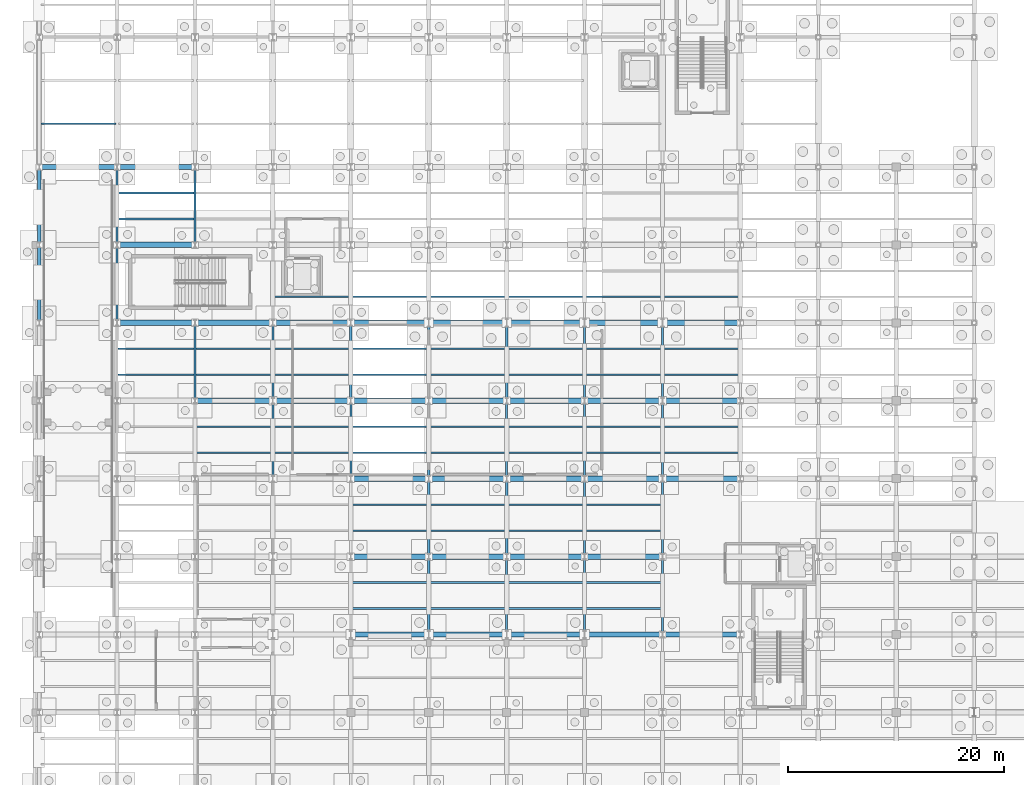
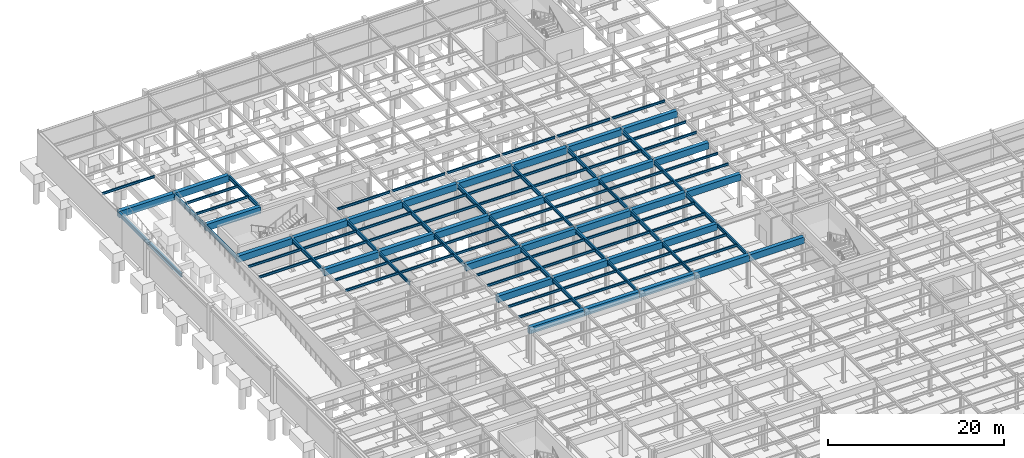
# One storey, part 37 of 64: 113 beams.
"""IFC4 building model written with IfcOpenShell, lengths in metres."""

from ifc_helpers import new_model, si_unit, direction, frame, origin, origin_2d, place, context, subcontext, project, spatial, rectangle, i_section, extrude, material, material_profile, profile_set, type_object, element, save


model = new_model("IFC4")

# Units and contexts
model_context = context("Model", 3, precision=1e-05, world=origin(), true_north=direction((0.0, 1.0)))
body_context = subcontext(model_context, "Body", "Model", "MODEL_VIEW")
ifc_project = project(units=[si_unit("LENGTHUNIT", "METRE"), si_unit("AREAUNIT", "SQUARE_METRE"), si_unit("VOLUMEUNIT", "CUBIC_METRE"), si_unit("PLANEANGLEUNIT", "RADIAN"), si_unit("MASSUNIT", "GRAM", prefix="KILO")], contexts=[model_context])

# Site, building, storey
site_placement = place(None, origin())
site = spatial("IfcSite", under=ifc_project, at=site_placement, CompositionType="ELEMENT")
building_placement = place(site_placement, origin())
building = spatial("IfcBuilding", under=site, at=building_placement, Name="Solvadek Multi-Sports Hall", CompositionType="ELEMENT")
storey_placement = place(building_placement, frame((0.0, 0.0, -4.800048828125)))
storey = spatial("IfcBuildingStorey", under=building, at=storey_placement, Name="B1", CompositionType="ELEMENT", Elevation=-4.800048828125)

# Beams
ifc_material_1 = material(Name="Steel E350 (350 MPa)", Category="steel")
ifc_material_profile_1 = material_profile(ifc_material_1, i_section(OverallWidth=0.18994140625, OverallDepth=0.449951171875, WebThickness=0.009521484375, FlangeThickness=0.0146484375, at=origin_2d()), Name="NPB 450")
ifc_profile_set_1 = profile_set([ifc_material_profile_1], Name="Steel E350 (350 MPa)")
beam_type_1 = type_object("IfcBeamType", Name="STR-BM-NPB450", PredefinedType="BEAM", material=ifc_profile_set_1)
for number, where, z_axis, x_axis, name in (
    (1, (21.60009765625, 63.60009765625, 4.324951171875), (0.0, 1.0, 0.0), (-1.0, 0.0, 0.0), "B1 Girder B-08 #298"),
    (2, (28.800048828125, 63.60009765625, 4.324951171875), (0.0, 1.0, 0.0), (-1.0, 0.0, 0.0), "B1 Girder B-08 #310"),
    (3, (36.0, 49.199951171875, 4.324951171875), (0.0, 1.0, 0.0), (-1.0, 0.0, 0.0), "B1 Girder B-08 #322"),
    (4, (36.0, 63.60009765625, 4.324951171875), (0.0, 1.0, 0.0), (-1.0, 0.0, 0.0), "B1 Girder B-08 #324"),
    (5, (43.199951171875, 49.199951171875, 4.324951171875), (0.0, 1.0, 0.0), (-1.0, 0.0, 0.0), "B1 Girder B-08 #338"),
    (6, (43.199951171875, 63.60009765625, 4.324951171875), (0.0, 1.0, 0.0), (-1.0, 0.0, 0.0), "B1 Girder B-08 #340"),
    (7, (50.39990234375, 49.199951171875, 4.324951171875), (0.0, 1.0, 0.0), (-1.0, 0.0, 0.0), "B1 Girder B-08 #354"),
    (8, (50.39990234375, 63.60009765625, 4.324951171875), (0.0, 1.0, 0.0), (-1.0, 0.0, 0.0), "B1 Girder B-08 #356"),
    (9, (57.60009765625, 49.199951171875, 4.324951171875), (0.0, 1.0, 0.0), (-1.0, 0.0, 0.0), "B1 Girder B-08 #373"),
    (10, (57.60009765625, 63.60009765625, 4.324951171875), (0.0, 1.0, 0.0), (-1.0, 0.0, 0.0), "B1 Girder B-08 #375"),
):
    element("IfcBeam", number, at=place(storey_placement, frame(where, z_axis=z_axis, x_axis=x_axis)), inside=storey, type_object=beam_type_1, Name=name, PredefinedType="BEAM", context=body_context, shape_type="SweptSolid", body=[
        extrude(i_section(OverallWidth=0.18994140625, OverallDepth=0.449951171875, WebThickness=0.009521484375, FlangeThickness=0.0146484375, at=origin_2d()), origin(), (0.0, 0.0, 1.0), 7.199951171875),
    ])
ifc_material_profile_2 = material_profile(ifc_material_1, i_section(OverallWidth=0.2099609375, OverallDepth=0.550048828125, WebThickness=0.010986328125, FlangeThickness=0.01708984375, at=origin_2d()), Name="NPB 550")
ifc_profile_set_2 = profile_set([ifc_material_profile_2], Name="Steel E350 (350 MPa)")
beam_type_2 = type_object("IfcBeamType", Name="STR-BM-NPB550", PredefinedType="BEAM", material=ifc_profile_set_2)
for number, where, z_axis, x_axis, name in (
    (11, (7.199951171875, 78.0, 4.275146484375), (0.0, 1.0, 0.0), (-1.0, 0.0, 0.0), "B1 Girder B-05 #277"),
    (12, (7.199951171875, 85.199951171875, 4.275146484375), (0.0, 1.0, 0.0), (-1.0, 0.0, 0.0), "B1 Girder B-05 #278"),
    (13, (14.39990234375, 70.800048828125, 4.275146484375), (0.0, 1.0, 0.0), (-1.0, 0.0, 0.0), "B1 Girder B-05 #288"),
    (14, (14.39990234375, 85.199951171875, 4.275146484375), (0.0, 1.0, 0.0), (-1.0, 0.0, 0.0), "B1 Girder B-05 #289"),
    (15, (21.60009765625, 70.800048828125, 4.275146484375), (0.0, 1.0, 0.0), (-1.0, 0.0, 0.0), "B1 Girder B-05 #299"),
    (16, (28.800048828125, 70.800048828125, 4.275146484375), (0.0, 1.0, 0.0), (-1.0, 0.0, 0.0), "B1 Girder B-05 #311"),
):
    element("IfcBeam", number, at=place(storey_placement, frame(where, z_axis=z_axis, x_axis=x_axis)), inside=storey, type_object=beam_type_2, Name=name, PredefinedType="BEAM", context=body_context, shape_type="SweptSolid", body=[
        extrude(i_section(OverallWidth=0.2099609375, OverallDepth=0.550048828125, WebThickness=0.010986328125, FlangeThickness=0.01708984375, at=origin_2d()), origin(), (0.0, 0.0, 1.0), 7.199951171875),
    ])
beam_1_placement = place(storey_placement, frame((36.0, 56.39990234375, 4.275146484375), z_axis=(0.0, 1.0, 0.0), x_axis=(-1.0, 0.0, 0.0)))
element("IfcBeam", 17, at=beam_1_placement, inside=storey, type_object=beam_type_2, Name="B1 Girder B-05 #323", PredefinedType="BEAM", context=body_context, shape_type="SweptSolid", body=[
    extrude(i_section(OverallWidth=0.2099609375, OverallDepth=0.550048828125, WebThickness=0.010986328125, FlangeThickness=0.01708984375, at=origin_2d()), origin(), (0.0, 0.0, 1.0), 7.2001953125),
])
beam_2_placement = place(storey_placement, frame((36.0, 70.800048828125, 4.275146484375), z_axis=(0.0, 1.0, 0.0), x_axis=(-1.0, 0.0, 0.0)))
element("IfcBeam", 18, at=beam_2_placement, inside=storey, type_object=beam_type_2, Name="B1 Girder B-05 #325", PredefinedType="BEAM", context=body_context, shape_type="SweptSolid", body=[
    extrude(i_section(OverallWidth=0.2099609375, OverallDepth=0.550048828125, WebThickness=0.010986328125, FlangeThickness=0.01708984375, at=origin_2d()), origin(), (0.0, 0.0, 1.0), 7.199951171875),
])
beam_3_placement = place(storey_placement, frame((43.199951171875, 56.39990234375, 4.275146484375), z_axis=(0.0, 1.0, 0.0), x_axis=(-1.0, 0.0, 0.0)))
element("IfcBeam", 19, at=beam_3_placement, inside=storey, type_object=beam_type_2, Name="B1 Girder B-05 #339", PredefinedType="BEAM", context=body_context, shape_type="SweptSolid", body=[
    extrude(i_section(OverallWidth=0.2099609375, OverallDepth=0.550048828125, WebThickness=0.010986328125, FlangeThickness=0.01708984375, at=origin_2d()), origin(), (0.0, 0.0, 1.0), 7.2001953125),
])
beam_4_placement = place(storey_placement, frame((43.199951171875, 70.800048828125, 4.275146484375), z_axis=(0.0, 1.0, 0.0), x_axis=(-1.0, 0.0, 0.0)))
element("IfcBeam", 20, at=beam_4_placement, inside=storey, type_object=beam_type_2, Name="B1 Girder B-05 #341", PredefinedType="BEAM", context=body_context, shape_type="SweptSolid", body=[
    extrude(i_section(OverallWidth=0.2099609375, OverallDepth=0.550048828125, WebThickness=0.010986328125, FlangeThickness=0.01708984375, at=origin_2d()), origin(), (0.0, 0.0, 1.0), 7.199951171875),
])
beam_5_placement = place(storey_placement, frame((50.39990234375, 56.39990234375, 4.275146484375), z_axis=(0.0, 1.0, 0.0), x_axis=(-1.0, 0.0, 0.0)))
element("IfcBeam", 21, at=beam_5_placement, inside=storey, type_object=beam_type_2, Name="B1 Girder B-05 #355", PredefinedType="BEAM", context=body_context, shape_type="SweptSolid", body=[
    extrude(i_section(OverallWidth=0.2099609375, OverallDepth=0.550048828125, WebThickness=0.010986328125, FlangeThickness=0.01708984375, at=origin_2d()), origin(), (0.0, 0.0, 1.0), 7.2001953125),
])
beam_6_placement = place(storey_placement, frame((50.39990234375, 70.800048828125, 4.275146484375), z_axis=(0.0, 1.0, 0.0), x_axis=(-1.0, 0.0, 0.0)))
element("IfcBeam", 22, at=beam_6_placement, inside=storey, type_object=beam_type_2, Name="B1 Girder B-05 #357", PredefinedType="BEAM", context=body_context, shape_type="SweptSolid", body=[
    extrude(i_section(OverallWidth=0.2099609375, OverallDepth=0.550048828125, WebThickness=0.010986328125, FlangeThickness=0.01708984375, at=origin_2d()), origin(), (0.0, 0.0, 1.0), 7.199951171875),
])
beam_7_placement = place(storey_placement, frame((57.60009765625, 56.39990234375, 4.275146484375), z_axis=(0.0, 1.0, 0.0), x_axis=(-1.0, 0.0, 0.0)))
element("IfcBeam", 23, at=beam_7_placement, inside=storey, type_object=beam_type_2, Name="B1 Girder B-05 #374", PredefinedType="BEAM", context=body_context, shape_type="SweptSolid", body=[
    extrude(i_section(OverallWidth=0.2099609375, OverallDepth=0.550048828125, WebThickness=0.010986328125, FlangeThickness=0.01708984375, at=origin_2d()), origin(), (0.0, 0.0, 1.0), 7.2001953125),
])
beam_8_placement = place(storey_placement, frame((57.60009765625, 70.800048828125, 4.275146484375), z_axis=(0.0, 1.0, 0.0), x_axis=(-1.0, 0.0, 0.0)))
element("IfcBeam", 24, at=beam_8_placement, inside=storey, type_object=beam_type_2, Name="B1 Girder B-05 #376", PredefinedType="BEAM", context=body_context, shape_type="SweptSolid", body=[
    extrude(i_section(OverallWidth=0.2099609375, OverallDepth=0.550048828125, WebThickness=0.010986328125, FlangeThickness=0.01708984375, at=origin_2d()), origin(), (0.0, 0.0, 1.0), 7.199951171875),
])
ifc_material_profile_3 = material_profile(ifc_material_1, i_section(OverallWidth=0.159912109375, OverallDepth=0.330078125, WebThickness=0.007568359375, FlangeThickness=0.011474609375, at=origin_2d()), Name="NPB 330")
ifc_profile_set_3 = profile_set([ifc_material_profile_3], Name="Steel E350 (350 MPa)")
beam_type_3 = type_object("IfcBeamType", Name="STR-JST-NPB330", PredefinedType="JOIST", material=ifc_profile_set_3)
for number, where, z_axis, x_axis, name in (
    (25, (28.89501953125, 51.60009765625, 4.385009765625), (1.0, 0.0, 0.0), (0.0, 1.0, 0.0), "B1 Composite Joist J-02 #197"),
    (26, (28.89501953125, 54.0, 4.385009765625), (1.0, 0.0, 0.0), (0.0, 1.0, 0.0), "B1 Composite Joist J-02 #198"),
    (27, (36.094970703125, 51.60009765625, 4.385009765625), (1.0, 0.0, 0.0), (0.0, 1.0, 0.0), "B1 Composite Joist J-02 #199"),
    (28, (36.094970703125, 54.0, 4.385009765625), (1.0, 0.0, 0.0), (0.0, 1.0, 0.0), "B1 Composite Joist J-02 #200"),
    (29, (43.294921875, 51.60009765625, 4.385009765625), (1.0, 0.0, 0.0), (0.0, 1.0, 0.0), "B1 Composite Joist J-02 #201"),
    (30, (43.294921875, 54.0, 4.385009765625), (1.0, 0.0, 0.0), (0.0, 1.0, 0.0), "B1 Composite Joist J-02 #202"),
):
    element("IfcBeam", number, at=place(storey_placement, frame(where, z_axis=z_axis, x_axis=x_axis)), inside=storey, type_object=beam_type_3, Name=name, PredefinedType="JOIST", context=body_context, shape_type="SweptSolid", body=[
        extrude(i_section(OverallWidth=0.159912109375, OverallDepth=0.330078125, WebThickness=0.007568359375, FlangeThickness=0.011474609375, at=origin_2d()), origin(), (0.0, 0.0, 1.0), 7.010009765625),
    ])
for number, where, z_axis, x_axis, name in (
    (31, (50.4951171875, 51.60009765625, 4.385009765625), (1.0, 0.0, 0.0), (0.0, 1.0, 0.0), "B1 Composite Joist J-02 #203"),
    (32, (50.4951171875, 54.0, 4.385009765625), (1.0, 0.0, 0.0), (0.0, 1.0, 0.0), "B1 Composite Joist J-02 #204"),
):
    element("IfcBeam", number, at=place(storey_placement, frame(where, z_axis=z_axis, x_axis=x_axis)), inside=storey, type_object=beam_type_3, Name=name, PredefinedType="JOIST", context=body_context, shape_type="SweptSolid", body=[
        extrude(i_section(OverallWidth=0.159912109375, OverallDepth=0.330078125, WebThickness=0.007568359375, FlangeThickness=0.011474609375, at=origin_2d()), origin(), (0.0, 0.0, 1.0), 7.009765625),
    ])
for number, where, z_axis, x_axis, name in (
    (33, (28.905029296875, 58.800048828125, 4.385009765625), (1.0, 0.0, 0.0), (0.0, 1.0, 0.0), "B1 Composite Joist J-02 #233"),
    (34, (28.905029296875, 61.199951171875, 4.385009765625), (1.0, 0.0, 0.0), (0.0, 1.0, 0.0), "B1 Composite Joist J-02 #234"),
    (35, (36.10498046875, 58.800048828125, 4.385009765625), (1.0, 0.0, 0.0), (0.0, 1.0, 0.0), "B1 Composite Joist J-02 #235"),
    (36, (36.10498046875, 61.199951171875, 4.385009765625), (1.0, 0.0, 0.0), (0.0, 1.0, 0.0), "B1 Composite Joist J-02 #236"),
    (37, (43.304931640625, 58.800048828125, 4.385009765625), (1.0, 0.0, 0.0), (0.0, 1.0, 0.0), "B1 Composite Joist J-02 #237"),
    (38, (43.304931640625, 61.199951171875, 4.385009765625), (1.0, 0.0, 0.0), (0.0, 1.0, 0.0), "B1 Composite Joist J-02 #238"),
):
    element("IfcBeam", number, at=place(storey_placement, frame(where, z_axis=z_axis, x_axis=x_axis)), inside=storey, type_object=beam_type_3, Name=name, PredefinedType="JOIST", context=body_context, shape_type="SweptSolid", body=[
        extrude(i_section(OverallWidth=0.159912109375, OverallDepth=0.330078125, WebThickness=0.007568359375, FlangeThickness=0.011474609375, at=origin_2d()), origin(), (0.0, 0.0, 1.0), 6.989990234375),
    ])
for number, where, z_axis, x_axis, name in (
    (39, (50.5048828125, 58.800048828125, 4.385009765625), (1.0, 0.0, 0.0), (0.0, 1.0, 0.0), "B1 Composite Joist J-02 #239"),
    (40, (50.5048828125, 61.199951171875, 4.385009765625), (1.0, 0.0, 0.0), (0.0, 1.0, 0.0), "B1 Composite Joist J-02 #240"),
):
    element("IfcBeam", number, at=place(storey_placement, frame(where, z_axis=z_axis, x_axis=x_axis)), inside=storey, type_object=beam_type_3, Name=name, PredefinedType="JOIST", context=body_context, shape_type="SweptSolid", body=[
        extrude(i_section(OverallWidth=0.159912109375, OverallDepth=0.330078125, WebThickness=0.007568359375, FlangeThickness=0.011474609375, at=origin_2d()), origin(), (0.0, 0.0, 1.0), 6.990234375),
    ])
for number, where, z_axis, x_axis, name in (
    (41, (14.4951171875, 66.0, 4.385009765625), (1.0, 0.0, 0.0), (0.0, 1.0, 0.0), "B1 Composite Joist J-02 #255"),
    (42, (14.4951171875, 68.39990234375, 4.385009765625), (1.0, 0.0, 0.0), (0.0, 1.0, 0.0), "B1 Composite Joist J-02 #256"),
):
    element("IfcBeam", number, at=place(storey_placement, frame(where, z_axis=z_axis, x_axis=x_axis)), inside=storey, type_object=beam_type_3, Name=name, PredefinedType="JOIST", context=body_context, shape_type="SweptSolid", body=[
        extrude(i_section(OverallWidth=0.159912109375, OverallDepth=0.330078125, WebThickness=0.007568359375, FlangeThickness=0.011474609375, at=origin_2d()), origin(), (0.0, 0.0, 1.0), 7.009765625),
    ])
for number, where, z_axis, x_axis, name in (
    (43, (21.695068359375, 66.0, 4.385009765625), (1.0, 0.0, 0.0), (0.0, 1.0, 0.0), "B1 Composite Joist J-02 #257"),
    (44, (21.695068359375, 68.39990234375, 4.385009765625), (1.0, 0.0, 0.0), (0.0, 1.0, 0.0), "B1 Composite Joist J-02 #258"),
    (45, (28.89501953125, 66.0, 4.385009765625), (1.0, 0.0, 0.0), (0.0, 1.0, 0.0), "B1 Composite Joist J-02 #259"),
    (46, (28.89501953125, 68.39990234375, 4.385009765625), (1.0, 0.0, 0.0), (0.0, 1.0, 0.0), "B1 Composite Joist J-02 #260"),
    (47, (36.094970703125, 66.0, 4.385009765625), (1.0, 0.0, 0.0), (0.0, 1.0, 0.0), "B1 Composite Joist J-02 #261"),
    (48, (36.094970703125, 68.39990234375, 4.385009765625), (1.0, 0.0, 0.0), (0.0, 1.0, 0.0), "B1 Composite Joist J-02 #262"),
    (49, (43.294921875, 66.0, 4.385009765625), (1.0, 0.0, 0.0), (0.0, 1.0, 0.0), "B1 Composite Joist J-02 #263"),
    (50, (43.294921875, 68.39990234375, 4.385009765625), (1.0, 0.0, 0.0), (0.0, 1.0, 0.0), "B1 Composite Joist J-02 #264"),
):
    element("IfcBeam", number, at=place(storey_placement, frame(where, z_axis=z_axis, x_axis=x_axis)), inside=storey, type_object=beam_type_3, Name=name, PredefinedType="JOIST", context=body_context, shape_type="SweptSolid", body=[
        extrude(i_section(OverallWidth=0.159912109375, OverallDepth=0.330078125, WebThickness=0.007568359375, FlangeThickness=0.011474609375, at=origin_2d()), origin(), (0.0, 0.0, 1.0), 7.010009765625),
    ])
for number, where, z_axis, x_axis, name in (
    (51, (50.4951171875, 66.0, 4.385009765625), (1.0, 0.0, 0.0), (0.0, 1.0, 0.0), "B1 Composite Joist J-02 #265"),
    (52, (50.4951171875, 68.39990234375, 4.385009765625), (1.0, 0.0, 0.0), (0.0, 1.0, 0.0), "B1 Composite Joist J-02 #266"),
):
    element("IfcBeam", number, at=place(storey_placement, frame(where, z_axis=z_axis, x_axis=x_axis)), inside=storey, type_object=beam_type_3, Name=name, PredefinedType="JOIST", context=body_context, shape_type="SweptSolid", body=[
        extrude(i_section(OverallWidth=0.159912109375, OverallDepth=0.330078125, WebThickness=0.007568359375, FlangeThickness=0.011474609375, at=origin_2d()), origin(), (0.0, 0.0, 1.0), 7.009765625),
    ])
for number, where, z_axis, x_axis, name in (
    (53, (57.695068359375, 66.0, 4.385009765625), (1.0, 0.0, 0.0), (0.0, 1.0, 0.0), "B1 Composite Joist J-02 #267"),
    (54, (57.695068359375, 68.39990234375, 4.385009765625), (1.0, 0.0, 0.0), (0.0, 1.0, 0.0), "B1 Composite Joist J-02 #268"),
):
    element("IfcBeam", number, at=place(storey_placement, frame(where, z_axis=z_axis, x_axis=x_axis)), inside=storey, type_object=beam_type_3, Name=name, PredefinedType="JOIST", context=body_context, shape_type="SweptSolid", body=[
        extrude(i_section(OverallWidth=0.159912109375, OverallDepth=0.330078125, WebThickness=0.007568359375, FlangeThickness=0.011474609375, at=origin_2d()), origin(), (0.0, 0.0, 1.0), 7.010009765625),
    ])
for number, where, z_axis, x_axis, name in (
    (55, (7.304931640625, 73.199951171875, 4.385009765625), (1.0, 0.0, 0.0), (0.0, 1.0, 0.0), "B1 Composite Joist J-02 #279"),
    (56, (7.304931640625, 75.60009765625, 4.385009765625), (1.0, 0.0, 0.0), (0.0, 1.0, 0.0), "B1 Composite Joist J-02 #280"),
):
    element("IfcBeam", number, at=place(storey_placement, frame(where, z_axis=z_axis, x_axis=x_axis)), inside=storey, type_object=beam_type_3, Name=name, PredefinedType="JOIST", context=body_context, shape_type="SweptSolid", body=[
        extrude(i_section(OverallWidth=0.159912109375, OverallDepth=0.330078125, WebThickness=0.007568359375, FlangeThickness=0.011474609375, at=origin_2d()), origin(), (0.0, 0.0, 1.0), 6.989990234375),
    ])
for number, where, z_axis, x_axis, name in (
    (57, (14.5048828125, 73.199951171875, 4.385009765625), (1.0, 0.0, 0.0), (0.0, 1.0, 0.0), "B1 Composite Joist J-02 #281"),
    (58, (14.5048828125, 75.60009765625, 4.385009765625), (1.0, 0.0, 0.0), (0.0, 1.0, 0.0), "B1 Composite Joist J-02 #282"),
):
    element("IfcBeam", number, at=place(storey_placement, frame(where, z_axis=z_axis, x_axis=x_axis)), inside=storey, type_object=beam_type_3, Name=name, PredefinedType="JOIST", context=body_context, shape_type="SweptSolid", body=[
        extrude(i_section(OverallWidth=0.159912109375, OverallDepth=0.330078125, WebThickness=0.007568359375, FlangeThickness=0.011474609375, at=origin_2d()), origin(), (0.0, 0.0, 1.0), 6.990234375),
    ])
for number, where, z_axis, x_axis, name in (
    (59, (21.705078125, 73.199951171875, 4.385009765625), (1.0, 0.0, 0.0), (0.0, 1.0, 0.0), "B1 Composite Joist J-02 #283"),
    (60, (21.705078125, 75.60009765625, 4.385009765625), (1.0, 0.0, 0.0), (0.0, 1.0, 0.0), "B1 Composite Joist J-02 #284"),
    (61, (28.905029296875, 73.199951171875, 4.385009765625), (1.0, 0.0, 0.0), (0.0, 1.0, 0.0), "B1 Composite Joist J-02 #285"),
    (62, (28.905029296875, 75.60009765625, 4.385009765625), (1.0, 0.0, 0.0), (0.0, 1.0, 0.0), "B1 Composite Joist J-02 #286"),
    (63, (36.10498046875, 73.199951171875, 4.385009765625), (1.0, 0.0, 0.0), (0.0, 1.0, 0.0), "B1 Composite Joist J-02 #287"),
    (64, (36.10498046875, 75.60009765625, 4.385009765625), (1.0, 0.0, 0.0), (0.0, 1.0, 0.0), "B1 Composite Joist J-02 #288"),
    (65, (43.304931640625, 73.199951171875, 4.385009765625), (1.0, 0.0, 0.0), (0.0, 1.0, 0.0), "B1 Composite Joist J-02 #289"),
    (66, (43.304931640625, 75.60009765625, 4.385009765625), (1.0, 0.0, 0.0), (0.0, 1.0, 0.0), "B1 Composite Joist J-02 #290"),
):
    element("IfcBeam", number, at=place(storey_placement, frame(where, z_axis=z_axis, x_axis=x_axis)), inside=storey, type_object=beam_type_3, Name=name, PredefinedType="JOIST", context=body_context, shape_type="SweptSolid", body=[
        extrude(i_section(OverallWidth=0.159912109375, OverallDepth=0.330078125, WebThickness=0.007568359375, FlangeThickness=0.011474609375, at=origin_2d()), origin(), (0.0, 0.0, 1.0), 6.989990234375),
    ])
for number, where, z_axis, x_axis, name in (
    (67, (50.5048828125, 73.199951171875, 4.385009765625), (1.0, 0.0, 0.0), (0.0, 1.0, 0.0), "B1 Composite Joist J-02 #291"),
    (68, (50.5048828125, 75.60009765625, 4.385009765625), (1.0, 0.0, 0.0), (0.0, 1.0, 0.0), "B1 Composite Joist J-02 #292"),
):
    element("IfcBeam", number, at=place(storey_placement, frame(where, z_axis=z_axis, x_axis=x_axis)), inside=storey, type_object=beam_type_3, Name=name, PredefinedType="JOIST", context=body_context, shape_type="SweptSolid", body=[
        extrude(i_section(OverallWidth=0.159912109375, OverallDepth=0.330078125, WebThickness=0.007568359375, FlangeThickness=0.011474609375, at=origin_2d()), origin(), (0.0, 0.0, 1.0), 6.990234375),
    ])
for number, where, z_axis, x_axis, name in (
    (69, (57.705078125, 73.199951171875, 4.385009765625), (1.0, 0.0, 0.0), (0.0, 1.0, 0.0), "B1 Composite Joist J-02 #293"),
    (70, (57.705078125, 75.60009765625, 4.385009765625), (1.0, 0.0, 0.0), (0.0, 1.0, 0.0), "B1 Composite Joist J-02 #294"),
    (71, (21.705078125, 80.39990234375, 4.385009765625), (1.0, 0.0, 0.0), (0.0, 1.0, 0.0), "B1 Composite Joist J-02 #301"),
    (72, (28.905029296875, 80.39990234375, 4.385009765625), (1.0, 0.0, 0.0), (0.0, 1.0, 0.0), "B1 Composite Joist J-02 #302"),
    (73, (36.10498046875, 80.39990234375, 4.385009765625), (1.0, 0.0, 0.0), (0.0, 1.0, 0.0), "B1 Composite Joist J-02 #304"),
    (74, (43.304931640625, 80.39990234375, 4.385009765625), (1.0, 0.0, 0.0), (0.0, 1.0, 0.0), "B1 Composite Joist J-02 #306"),
):
    element("IfcBeam", number, at=place(storey_placement, frame(where, z_axis=z_axis, x_axis=x_axis)), inside=storey, type_object=beam_type_3, Name=name, PredefinedType="JOIST", context=body_context, shape_type="SweptSolid", body=[
        extrude(i_section(OverallWidth=0.159912109375, OverallDepth=0.330078125, WebThickness=0.007568359375, FlangeThickness=0.011474609375, at=origin_2d()), origin(), (0.0, 0.0, 1.0), 6.989990234375),
    ])
beam_9_placement = place(storey_placement, frame((50.5048828125, 80.39990234375, 4.385009765625), z_axis=(1.0, 0.0, 0.0), x_axis=(0.0, 1.0, 0.0)))
element("IfcBeam", 75, at=beam_9_placement, inside=storey, type_object=beam_type_3, Name="B1 Composite Joist J-02 #308", PredefinedType="JOIST", context=body_context, shape_type="SweptSolid", body=[
    extrude(i_section(OverallWidth=0.159912109375, OverallDepth=0.330078125, WebThickness=0.007568359375, FlangeThickness=0.011474609375, at=origin_2d()), origin(), (0.0, 0.0, 1.0), 6.990234375),
])
for number, where, z_axis, x_axis, name in (
    (76, (57.705078125, 80.39990234375, 4.385009765625), (1.0, 0.0, 0.0), (0.0, 1.0, 0.0), "B1 Composite Joist J-02 #310"),
    (77, (7.304931640625, 87.60009765625, 4.385009765625), (1.0, 0.0, 0.0), (0.0, 1.0, 0.0), "B1 Composite Joist J-02 #318"),
    (78, (7.304931640625, 90.0, 4.385009765625), (1.0, 0.0, 0.0), (0.0, 1.0, 0.0), "B1 Composite Joist J-02 #319"),
):
    element("IfcBeam", number, at=place(storey_placement, frame(where, z_axis=z_axis, x_axis=x_axis)), inside=storey, type_object=beam_type_3, Name=name, PredefinedType="JOIST", context=body_context, shape_type="SweptSolid", body=[
        extrude(i_section(OverallWidth=0.159912109375, OverallDepth=0.330078125, WebThickness=0.007568359375, FlangeThickness=0.011474609375, at=origin_2d()), origin(), (0.0, 0.0, 1.0), 6.989990234375),
    ])
beam_10_placement = place(storey_placement, frame((0.14990234375, 96.39990234375, 4.385009765625), z_axis=(1.0, 0.0, 0.0), x_axis=(0.0, 1.0, 0.0)))
element("IfcBeam", 79, at=beam_10_placement, inside=storey, type_object=beam_type_3, Name="B1 Composite Joist J-02 #340", PredefinedType="JOIST", context=body_context, shape_type="SweptSolid", body=[
    extrude(i_section(OverallWidth=0.159912109375, OverallDepth=0.330078125, WebThickness=0.007568359375, FlangeThickness=0.011474609375, at=origin_2d()), origin(), (0.0, 0.0, 1.0), 6.93017578125),
])
ifc_material_profile_4 = material_profile(ifc_material_1, i_section(OverallWidth=0.300048828125, OverallDepth=0.5, WebThickness=0.014404296875, FlangeThickness=0.028076171875, at=origin_2d()), Name="WPB 500")
ifc_profile_set_4 = profile_set([ifc_material_profile_4], Name="Steel E350 (350 MPa)")
beam_type_4 = type_object("IfcBeamType", Name="STR-SPN-WPB500", PredefinedType="SPANDREL", material=ifc_profile_set_4)
for number, where, z_axis, x_axis, name in (
    (80, (0.0, 78.0, 4.300048828125), (0.0, 1.0, 0.0), (-1.0, 0.0, 0.0), "B1 Girder SP-01 #265"),
    (81, (0.0, 85.199951171875, 4.300048828125), (0.0, 1.0, 0.0), (-1.0, 0.0, 0.0), "B1 Girder SP-01 #266"),
):
    element("IfcBeam", number, at=place(storey_placement, frame(where, z_axis=z_axis, x_axis=x_axis)), inside=storey, type_object=beam_type_4, Name=name, PredefinedType="SPANDREL", context=body_context, shape_type="SweptSolid", body=[
        extrude(i_section(OverallWidth=0.300048828125, OverallDepth=0.5, WebThickness=0.014404296875, FlangeThickness=0.028076171875, at=origin_2d()), origin(), (0.0, 0.0, 1.0), 7.199951171875),
    ])
ifc_material_2 = material(Name="Concrete M35", Category="concrete")
ifc_material_profile_5 = material_profile(ifc_material_2, rectangle(XDim=0.5, YDim=0.89990234375, at=origin_2d()), Name="RC T-BEAM 500x900")
ifc_profile_set_5 = profile_set([ifc_material_profile_5], Name="Concrete M35")
beam_type_5 = type_object("IfcBeamType", Name="STR-TBM-500X900", PredefinedType="T_BEAM", material=ifc_profile_set_5)
for number, where, z_axis, x_axis, name in (
    (82, (28.800048828125, 49.199951171875, 4.10009765625), (1.0, 0.0, 0.0), (0.0, 1.0, 0.0), "B1 Girder TB-02 #126"),
    (83, (36.0, 49.199951171875, 4.10009765625), (1.0, 0.0, 0.0), (0.0, 1.0, 0.0), "B1 Girder TB-02 #127"),
    (84, (43.199951171875, 49.199951171875, 4.10009765625), (1.0, 0.0, 0.0), (0.0, 1.0, 0.0), "B1 Girder TB-02 #128"),
):
    element("IfcBeam", number, at=place(storey_placement, frame(where, z_axis=z_axis, x_axis=x_axis)), inside=storey, type_object=beam_type_5, Name=name, PredefinedType="T_BEAM", context=body_context, shape_type="SweptSolid", body=[
        extrude(rectangle(XDim=0.5, YDim=0.89990234375, at=origin_2d()), origin(), (0.0, 0.0, 1.0), 7.199951171875),
    ])
beam_11_placement = place(storey_placement, frame((50.39990234375, 49.199951171875, 4.10009765625), z_axis=(1.0, 0.0, 0.0), x_axis=(0.0, 1.0, 0.0)))
element("IfcBeam", 85, at=beam_11_placement, inside=storey, type_object=beam_type_5, Name="B1 Girder TB-02 #129", PredefinedType="T_BEAM", context=body_context, shape_type="SweptSolid", body=[
    extrude(rectangle(XDim=0.5, YDim=0.89990234375, at=origin_2d()), origin(), (0.0, 0.0, 1.0), 7.2001953125),
])
for number, where, z_axis, x_axis, name in (
    (86, (57.60009765625, 49.199951171875, 4.10009765625), (1.0, 0.0, 0.0), (0.0, 1.0, 0.0), "B1 Girder TB-02 #130"),
    (87, (28.800048828125, 56.39990234375, 4.10009765625), (1.0, 0.0, 0.0), (0.0, 1.0, 0.0), "B1 Girder TB-02 #146"),
    (88, (36.0, 56.39990234375, 4.10009765625), (1.0, 0.0, 0.0), (0.0, 1.0, 0.0), "B1 Girder TB-02 #147"),
    (89, (43.199951171875, 56.39990234375, 4.10009765625), (1.0, 0.0, 0.0), (0.0, 1.0, 0.0), "B1 Girder TB-02 #148"),
):
    element("IfcBeam", number, at=place(storey_placement, frame(where, z_axis=z_axis, x_axis=x_axis)), inside=storey, type_object=beam_type_5, Name=name, PredefinedType="T_BEAM", context=body_context, shape_type="SweptSolid", body=[
        extrude(rectangle(XDim=0.5, YDim=0.89990234375, at=origin_2d()), origin(), (0.0, 0.0, 1.0), 7.199951171875),
    ])
beam_12_placement = place(storey_placement, frame((50.39990234375, 56.39990234375, 4.10009765625), z_axis=(1.0, 0.0, 0.0), x_axis=(0.0, 1.0, 0.0)))
element("IfcBeam", 90, at=beam_12_placement, inside=storey, type_object=beam_type_5, Name="B1 Girder TB-02 #149", PredefinedType="T_BEAM", context=body_context, shape_type="SweptSolid", body=[
    extrude(rectangle(XDim=0.5, YDim=0.89990234375, at=origin_2d()), origin(), (0.0, 0.0, 1.0), 7.2001953125),
])
for number, where, z_axis, x_axis, name in (
    (91, (28.800048828125, 63.60009765625, 4.10009765625), (1.0, 0.0, 0.0), (0.0, 1.0, 0.0), "B1 Girder TB-02 #166"),
    (92, (36.0, 63.60009765625, 4.10009765625), (1.0, 0.0, 0.0), (0.0, 1.0, 0.0), "B1 Girder TB-02 #167"),
    (93, (43.199951171875, 63.60009765625, 4.10009765625), (1.0, 0.0, 0.0), (0.0, 1.0, 0.0), "B1 Girder TB-02 #168"),
):
    element("IfcBeam", number, at=place(storey_placement, frame(where, z_axis=z_axis, x_axis=x_axis)), inside=storey, type_object=beam_type_5, Name=name, PredefinedType="T_BEAM", context=body_context, shape_type="SweptSolid", body=[
        extrude(rectangle(XDim=0.5, YDim=0.89990234375, at=origin_2d()), origin(), (0.0, 0.0, 1.0), 7.199951171875),
    ])
beam_13_placement = place(storey_placement, frame((50.39990234375, 63.60009765625, 4.10009765625), z_axis=(1.0, 0.0, 0.0), x_axis=(0.0, 1.0, 0.0)))
element("IfcBeam", 94, at=beam_13_placement, inside=storey, type_object=beam_type_5, Name="B1 Girder TB-02 #169", PredefinedType="T_BEAM", context=body_context, shape_type="SweptSolid", body=[
    extrude(rectangle(XDim=0.5, YDim=0.89990234375, at=origin_2d()), origin(), (0.0, 0.0, 1.0), 7.2001953125),
])
beam_14_placement = place(storey_placement, frame((57.60009765625, 63.60009765625, 4.10009765625), z_axis=(1.0, 0.0, 0.0), x_axis=(0.0, 1.0, 0.0)))
element("IfcBeam", 95, at=beam_14_placement, inside=storey, type_object=beam_type_5, Name="B1 Girder TB-02 #170", PredefinedType="T_BEAM", context=body_context, shape_type="SweptSolid", body=[
    extrude(rectangle(XDim=0.5, YDim=0.89990234375, at=origin_2d()), origin(), (0.0, 0.0, 1.0), 7.199951171875),
])
beam_15_placement = place(storey_placement, frame((14.39990234375, 70.800048828125, 4.10009765625), z_axis=(1.0, 0.0, 0.0), x_axis=(0.0, 1.0, 0.0)))
element("IfcBeam", 96, at=beam_15_placement, inside=storey, type_object=beam_type_5, Name="B1 Girder TB-02 #179", PredefinedType="T_BEAM", context=body_context, shape_type="SweptSolid", body=[
    extrude(rectangle(XDim=0.5, YDim=0.89990234375, at=origin_2d()), origin(), (0.0, 0.0, 1.0), 7.2001953125),
])
for number, where, z_axis, x_axis, name in (
    (97, (21.60009765625, 70.800048828125, 4.10009765625), (1.0, 0.0, 0.0), (0.0, 1.0, 0.0), "B1 Girder TB-02 #180"),
    (98, (28.800048828125, 70.800048828125, 4.10009765625), (1.0, 0.0, 0.0), (0.0, 1.0, 0.0), "B1 Girder TB-02 #181"),
    (99, (36.0, 70.800048828125, 4.10009765625), (1.0, 0.0, 0.0), (0.0, 1.0, 0.0), "B1 Girder TB-02 #182"),
    (100, (43.199951171875, 70.800048828125, 4.10009765625), (1.0, 0.0, 0.0), (0.0, 1.0, 0.0), "B1 Girder TB-02 #183"),
):
    element("IfcBeam", number, at=place(storey_placement, frame(where, z_axis=z_axis, x_axis=x_axis)), inside=storey, type_object=beam_type_5, Name=name, PredefinedType="T_BEAM", context=body_context, shape_type="SweptSolid", body=[
        extrude(rectangle(XDim=0.5, YDim=0.89990234375, at=origin_2d()), origin(), (0.0, 0.0, 1.0), 7.199951171875),
    ])
beam_16_placement = place(storey_placement, frame((50.39990234375, 70.800048828125, 4.10009765625), z_axis=(1.0, 0.0, 0.0), x_axis=(0.0, 1.0, 0.0)))
element("IfcBeam", 101, at=beam_16_placement, inside=storey, type_object=beam_type_5, Name="B1 Girder TB-02 #184", PredefinedType="T_BEAM", context=body_context, shape_type="SweptSolid", body=[
    extrude(rectangle(XDim=0.5, YDim=0.89990234375, at=origin_2d()), origin(), (0.0, 0.0, 1.0), 7.2001953125),
])
for number, where, z_axis, x_axis, name in (
    (102, (57.60009765625, 70.800048828125, 4.10009765625), (1.0, 0.0, 0.0), (0.0, 1.0, 0.0), "B1 Girder TB-02 #185"),
    (103, (7.199951171875, 78.0, 4.10009765625), (1.0, 0.0, 0.0), (0.0, 1.0, 0.0), "B1 Girder TB-02 #193"),
):
    element("IfcBeam", number, at=place(storey_placement, frame(where, z_axis=z_axis, x_axis=x_axis)), inside=storey, type_object=beam_type_5, Name=name, PredefinedType="T_BEAM", context=body_context, shape_type="SweptSolid", body=[
        extrude(rectangle(XDim=0.5, YDim=0.89990234375, at=origin_2d()), origin(), (0.0, 0.0, 1.0), 7.199951171875),
    ])
beam_17_placement = place(storey_placement, frame((14.39990234375, 78.0, 4.10009765625), z_axis=(1.0, 0.0, 0.0), x_axis=(0.0, 1.0, 0.0)))
element("IfcBeam", 104, at=beam_17_placement, inside=storey, type_object=beam_type_5, Name="B1 Girder TB-02 #194", PredefinedType="T_BEAM", context=body_context, shape_type="SweptSolid", body=[
    extrude(rectangle(XDim=0.5, YDim=0.89990234375, at=origin_2d()), origin(), (0.0, 0.0, 1.0), 7.2001953125),
])
for number, where, z_axis, x_axis, name in (
    (105, (21.60009765625, 78.0, 4.10009765625), (1.0, 0.0, 0.0), (0.0, 1.0, 0.0), "B1 Girder TB-02 #195"),
    (106, (28.800048828125, 78.0, 4.10009765625), (1.0, 0.0, 0.0), (0.0, 1.0, 0.0), "B1 Girder TB-02 #196"),
    (107, (36.0, 78.0, 4.10009765625), (1.0, 0.0, 0.0), (0.0, 1.0, 0.0), "B1 Girder TB-02 #197"),
    (108, (43.199951171875, 78.0, 4.10009765625), (1.0, 0.0, 0.0), (0.0, 1.0, 0.0), "B1 Girder TB-02 #198"),
):
    element("IfcBeam", number, at=place(storey_placement, frame(where, z_axis=z_axis, x_axis=x_axis)), inside=storey, type_object=beam_type_5, Name=name, PredefinedType="T_BEAM", context=body_context, shape_type="SweptSolid", body=[
        extrude(rectangle(XDim=0.5, YDim=0.89990234375, at=origin_2d()), origin(), (0.0, 0.0, 1.0), 7.199951171875),
    ])
beam_18_placement = place(storey_placement, frame((50.39990234375, 78.0, 4.10009765625), z_axis=(1.0, 0.0, 0.0), x_axis=(0.0, 1.0, 0.0)))
element("IfcBeam", 109, at=beam_18_placement, inside=storey, type_object=beam_type_5, Name="B1 Girder TB-02 #199", PredefinedType="T_BEAM", context=body_context, shape_type="SweptSolid", body=[
    extrude(rectangle(XDim=0.5, YDim=0.89990234375, at=origin_2d()), origin(), (0.0, 0.0, 1.0), 7.2001953125),
])
for number, where, z_axis, x_axis, name in (
    (110, (57.60009765625, 78.0, 4.10009765625), (1.0, 0.0, 0.0), (0.0, 1.0, 0.0), "B1 Girder TB-02 #200"),
    (111, (7.199951171875, 85.199951171875, 4.10009765625), (1.0, 0.0, 0.0), (0.0, 1.0, 0.0), "B1 Girder TB-02 #204"),
    (112, (0.0, 92.39990234375, 4.10009765625), (1.0, 0.0, 0.0), (0.0, 1.0, 0.0), "B1 Girder TB-02 #215"),
    (113, (7.199951171875, 92.39990234375, 4.10009765625), (1.0, 0.0, 0.0), (0.0, 1.0, 0.0), "B1 Girder TB-02 #216"),
):
    element("IfcBeam", number, at=place(storey_placement, frame(where, z_axis=z_axis, x_axis=x_axis)), inside=storey, type_object=beam_type_5, Name=name, PredefinedType="T_BEAM", context=body_context, shape_type="SweptSolid", body=[
        extrude(rectangle(XDim=0.5, YDim=0.89990234375, at=origin_2d()), origin(), (0.0, 0.0, 1.0), 7.199951171875),
    ])

save(model, "model.ifc")
